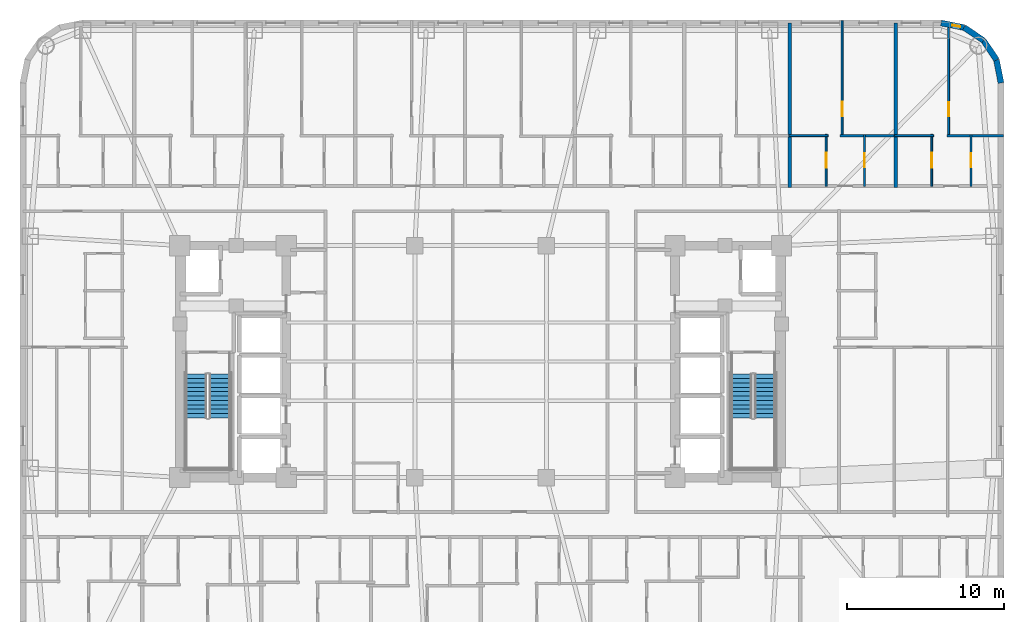
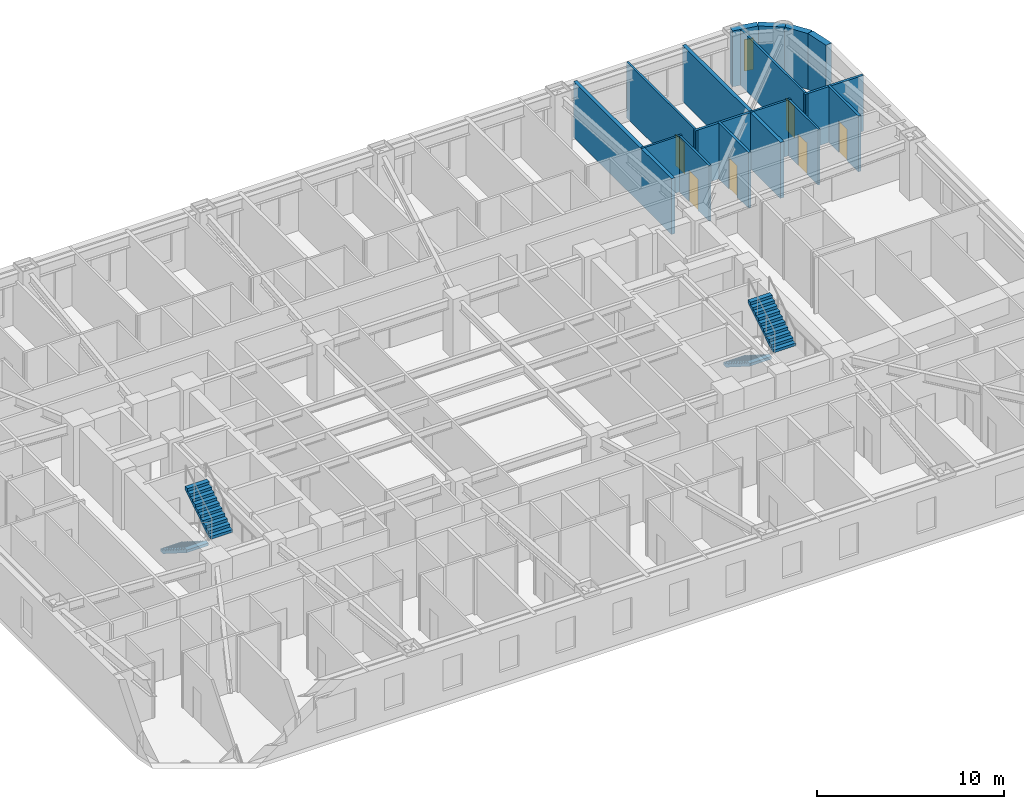
# One storey, part 11 of 13: 16 walls, 6 doors, 4 stair flights, 1 window, 7 openings, 2 elements without a shape of their own.
"""IFC4 building model written with IfcOpenShell, lengths in metres."""

from ifc_helpers import new_model, si_unit, direction, frame, frame_2d, origin, place, context, subcontext, project, spatial, polyline, rectangle, outline, extrude, material, layer, layer_set, type_object, element, fill, aggregate, save


model = new_model("IFC4")

# Units and contexts
model_context = context("Model", 3, precision=1e-05, world=origin(), true_north=direction((0.0, 1.0)))
body_context = subcontext(model_context, "Body", "Model", "MODEL_VIEW")
ifc_project = project(units=[si_unit("LENGTHUNIT", "METRE"), si_unit("AREAUNIT", "SQUARE_METRE"), si_unit("VOLUMEUNIT", "CUBIC_METRE"), si_unit("PLANEANGLEUNIT", "RADIAN"), si_unit("MASSUNIT", "GRAM", prefix="KILO")], contexts=[model_context])

# Site, building, storey
site_placement = place(None, origin())
site = spatial("IfcSite", under=ifc_project, at=site_placement, CompositionType="ELEMENT")
building_placement = place(site_placement, origin())
building = spatial("IfcBuilding", under=site, at=building_placement, Name="Voryun Gate Residences", CompositionType="ELEMENT")
storey_placement = place(building_placement, frame((0.0, 0.0, 120.89990234375)))
storey = spatial("IfcBuildingStorey", under=building, at=storey_placement, Name="L29", CompositionType="ELEMENT", Elevation=120.89990234375)

# Wall, opening, window
ifc_material_1 = material(Name="Granite masonry", Category="masonry")
ifc_layer_1 = layer(ifc_material_1, 0.3798828125, Name="W_EXT_GRANITE_380")
ifc_layer_set_1 = layer_set([ifc_layer_1], Name="Granite masonry")
wall_type_1 = type_object("IfcWallType", Name="W_EXT_GRANITE_380", PredefinedType="ELEMENTEDWALL", material=ifc_layer_set_1)
wall_1_placement = place(storey_placement, frame((29.38134765625, 21.610107421875, 0.0), z_axis=(0.0, 0.0, 1.0), x_axis=(0.980755066645, -0.195242155415, 0.0)))
wall_1 = element("IfcWall", 1, at=wall_1_placement, inside=storey, type_object=wall_type_1, Name="Exterior wall WEXT-L29-12", PredefinedType="ELEMENTEDWALL", context=body_context, shape_type="SweptSolid", body=[
    extrude(rectangle(XDim=1.50439453125, YDim=0.3798828125, at=frame_2d((0.752197265625, 0.0))), origin(), (0.0, 0.0, 1.0), 3.650146484375),
])
opening_1_placement = place(wall_1_placement, frame((0.732177734375, 0.0, 0.75)))
opening_1 = element("IfcOpeningElement", 2, at=opening_1_placement, cuts=wall_1, Name="Opening WN10", PredefinedType="OPENING", context=body_context, shape_type="SweptSolid", body=[
    extrude(rectangle(XDim=0.52001953125, YDim=2.050048828125, at=frame_2d((0.260009765625, 1.02490234375))), frame((0.0, 0.199951171875, 0.0), z_axis=(0.0, -1.0, 0.0), x_axis=(1.0, 0.0, 0.0)), (0.0, 0.0, 1.0), 0.39990234375),
])
ifc_material_2 = material(Name="Laminated low-E glass", Category="glass")
window_type = type_object("IfcWindowType", Name="WN_PAGODA_LANCET_520", PartitioningType="SINGLE_PANEL", PredefinedType="WINDOW", material=ifc_material_2)
window_placement = place(opening_1_placement, origin())
window = element("IfcWindow", 3, at=window_placement, inside=storey, type_object=window_type, Name="Window WN-L29-DWFIX-15", OverallHeight=2.050048828125, OverallWidth=0.52001953125, PartitioningType="SINGLE_PANEL", PredefinedType="WINDOW", context=body_context, shape_type="SweptSolid", body=[
    extrude(rectangle(XDim=0.52001953125, YDim=2.050048828125, at=frame_2d((0.260009765625, 1.02490234375))), frame((0.0, 0.030029296875, 0.0), z_axis=(0.0, -1.0, 0.0), x_axis=(1.0, 0.0, 0.0)), (0.0, 0.0, 1.0), 0.06005859375),
])
fill(opening_1, window)

# Walls
wall_2_placement = place(storey_placement, frame((30.856689453125, 21.31640625, 0.0), z_axis=(0.0, 0.0, 1.0), x_axis=(0.831468045563, -0.555572577804, 0.0)))
element("IfcWall", 4, at=wall_2_placement, inside=storey, type_object=wall_type_1, Name="Exterior wall WEXT-L29-13", PredefinedType="ELEMENTEDWALL", context=body_context, shape_type="SweptSolid", body=[
    extrude(rectangle(XDim=1.48486328125, YDim=0.3798828125, at=frame_2d((0.742431640625, 0.0))), origin(), (0.0, 0.0, 1.0), 3.650146484375),
])
wall_3_placement = place(storey_placement, frame((32.09130859375, 20.491455078125, 0.0), z_axis=(0.0, 0.0, 1.0), x_axis=(0.555610286119, -0.831442848281, 0.0)))
element("IfcWall", 5, at=wall_3_placement, inside=storey, type_object=wall_type_1, Name="Exterior wall WEXT-L29-14", PredefinedType="ELEMENTEDWALL", context=body_context, shape_type="SweptSolid", body=[
    extrude(rectangle(XDim=1.485107421875, YDim=0.3798828125, at=frame_2d((0.74267578125, 0.0))), origin(), (0.0, 0.0, 1.0), 3.650146484375),
])
wall_4_placement = place(storey_placement, frame((32.91650390625, 19.256591796875, 0.0), z_axis=(0.0, 0.0, 1.0), x_axis=(0.195086038585, -0.980786132421, 0.0)))
element("IfcWall", 6, at=wall_4_placement, inside=storey, type_object=wall_type_1, Name="Exterior wall WEXT-L29-15", PredefinedType="ELEMENTEDWALL", context=body_context, shape_type="SweptSolid", body=[
    extrude(rectangle(XDim=1.504150390625, YDim=0.3798828125, at=frame_2d((0.751953125, 0.0))), origin(), (0.0, 0.0, 1.0), 3.650146484375),
])
ifc_material_3 = material(Name="Concrete C40/50", Category="concrete")
ifc_layer_2 = layer(ifc_material_3, 0.219970703125, Name="W_PARTY_ACOUSTIC_220")
ifc_layer_set_2 = layer_set([ifc_layer_2], Name="Concrete C40/50")
wall_type_2 = type_object("IfcWallType", Name="W_PARTY_ACOUSTIC_220", PredefinedType="PARTITIONING", material=ifc_layer_set_2)
for number, where, z_axis, x_axis, name in (
    (7, (19.739013671875, 11.1201171875, 0.0), (0.0, 0.0, 1.0), (0.0, 1.0, 0.0), "Partition wall WP-L29-NPTY-7"),
    (8, (26.47802734375, 11.1201171875, 0.0), (0.0, 0.0, 1.0), (0.0, 1.0, 0.0), "Partition wall WP-L29-NPTY-8"),
):
    element("IfcWall", number, at=place(storey_placement, frame(where, z_axis=z_axis, x_axis=x_axis)), inside=storey, type_object=wall_type_2, Name=name, PredefinedType="PARTITIONING", context=body_context, shape_type="SweptSolid", body=[
        extrude(rectangle(XDim=10.489990234375, YDim=0.219970703125, at=frame_2d((5.2451171875, 0.0))), origin(), (0.0, 0.0, 1.0), 3.650146484375),
    ])

# Wall, opening, door
ifc_material_4 = material(Name="Gypsum acoustic partition")
ifc_layer_3 = layer(ifc_material_4, 0.125, Name="W_UNIT_PART_125")
ifc_layer_set_3 = layer_set([ifc_layer_3], Name="Gypsum acoustic partition")
wall_type_3 = type_object("IfcWallType", Name="W_UNIT_PART_125", PredefinedType="PARTITIONING", material=ifc_layer_set_3)
wall_5_placement = place(storey_placement, frame((23.068115234375, 14.340087890625, 0.0), z_axis=(0.0, 0.0, 1.0), x_axis=(0.0, 1.0, 0.0)))
wall_5 = element("IfcWall", 9, at=wall_5_placement, inside=storey, type_object=wall_type_3, Name="Partition wall WP-L29-N8-OVR", PredefinedType="PARTITIONING", context=body_context, shape_type="SweptSolid", body=[
    extrude(rectangle(XDim=7.419921875, YDim=0.125, at=frame_2d((3.7099609375, 0.0))), origin(), (0.0, 0.0, 1.0), 3.650146484375),
])
opening_2_placement = place(wall_5_placement, frame((1.330810546875, 0.0, 0.0)))
opening_2 = element("IfcOpeningElement", 10, at=opening_2_placement, cuts=wall_5, Name="Opening D-INT-2", PredefinedType="OPENING", context=body_context, shape_type="SweptSolid", body=[
    extrude(rectangle(XDim=0.89990234375, YDim=2.050048828125, at=frame_2d((0.449951171875, 1.02490234375))), frame((0.0, 0.072509765625, 0.0), z_axis=(0.0, -1.0, 0.0), x_axis=(1.0, 0.0, 0.0)), (0.0, 0.0, 1.0), 0.14501953125),
])
ifc_material_5 = material(Name="Architectural oak veneer")
door_type_1 = type_object("IfcDoorType", Name="DR_INT_BATH_900", OperationType="NOTDEFINED", PredefinedType="DOOR", material=ifc_material_5)
door_1_placement = place(opening_2_placement, origin())
door_1 = element("IfcDoor", 11, at=door_1_placement, inside=storey, type_object=door_type_1, Name="Door DR-L29-N8-DMB", OperationType="SINGLE_SWING_RIGHT", OverallHeight=2.050048828125, OverallWidth=0.89990234375, PredefinedType="DOOR", context=body_context, shape_type="SweptSolid", body=[
    extrude(rectangle(XDim=0.89990234375, YDim=2.050048828125, at=frame_2d((0.449951171875, 1.02490234375))), frame((0.0, 0.02490234375, 0.0), z_axis=(0.0, -1.0, 0.0), x_axis=(1.0, 0.0, 0.0)), (0.0, 0.0, 1.0), 0.050048828125),
])
fill(opening_2, door_1)

wall_6_placement = place(storey_placement, frame((22.049072265625, 11.179931640625, 0.0), z_axis=(0.0, 0.0, 1.0), x_axis=(0.0, 1.0, 0.0)))
wall_6 = element("IfcWall", 12, at=wall_6_placement, inside=storey, type_object=wall_type_3, Name="Partition wall WP-L29-N8-IVK", PredefinedType="PARTITIONING", context=body_context, shape_type="SweptSolid", body=[
    extrude(rectangle(XDim=3.320068359375, YDim=0.125, at=frame_2d((1.66015625, 0.0))), origin(), (0.0, 0.0, 1.0), 3.650146484375),
])
opening_3_placement = place(wall_6_placement, frame((1.18505859375, 0.0, 0.0)))
opening_3 = element("IfcOpeningElement", 13, at=opening_3_placement, cuts=wall_6, Name="Opening D-INT-1", PredefinedType="OPENING", context=body_context, shape_type="SweptSolid", body=[
    extrude(rectangle(XDim=0.949951171875, YDim=2.050048828125, at=frame_2d((0.47509765625, 1.02490234375))), frame((0.0, 0.072509765625, 0.0), z_axis=(0.0, -1.0, 0.0), x_axis=(1.0, 0.0, 0.0)), (0.0, 0.0, 1.0), 0.14501953125),
])
ifc_material_6 = material(Name="Architectural oak veneer")
door_type_2 = type_object("IfcDoorType", Name="DR_INT_ROOM_950", OperationType="NOTDEFINED", PredefinedType="DOOR", material=ifc_material_6)
door_2_placement = place(opening_3_placement, origin())
door_2 = element("IfcDoor", 14, at=door_2_placement, inside=storey, type_object=door_type_2, Name="Door DR-L29-N8-DK", OperationType="SINGLE_SWING_LEFT", OverallHeight=2.050048828125, OverallWidth=0.949951171875, PredefinedType="DOOR", context=body_context, shape_type="SweptSolid", body=[
    extrude(rectangle(XDim=0.949951171875, YDim=2.050048828125, at=frame_2d((0.47509765625, 1.02490234375))), frame((0.0, 0.02490234375, 0.0), z_axis=(0.0, -1.0, 0.0), x_axis=(1.0, 0.0, 0.0)), (0.0, 0.0, 1.0), 0.050048828125),
])
fill(opening_3, door_2)

# Wall
wall_7_placement = place(storey_placement, frame((19.6640625, 14.419921875, 0.0), z_axis=(0.0, 0.0, 1.0), x_axis=(1.0, 0.0, 0.0)))
element("IfcWall", 15, at=wall_7_placement, inside=storey, type_object=wall_type_3, Name="Partition wall WP-L29-N8-HZK", PredefinedType="PARTITIONING", context=body_context, shape_type="SweptSolid", body=[
    extrude(rectangle(XDim=2.5048828125, YDim=0.125, at=frame_2d((1.25244140625, 0.0))), origin(), (0.0, 0.0, 1.0), 3.650146484375),
])

# Wall, opening, door
wall_8_placement = place(storey_placement, frame((29.867919921875, 14.340087890625, 0.0), z_axis=(0.0, 0.0, 1.0), x_axis=(0.0, 1.0, 0.0)))
wall_8 = element("IfcWall", 16, at=wall_8_placement, inside=storey, type_object=wall_type_3, Name="Partition wall WP-L29-N9-OVR", PredefinedType="PARTITIONING", context=body_context, shape_type="SweptSolid", body=[
    extrude(rectangle(XDim=7.325927734375, YDim=0.125, at=frame_2d((3.6630859375, 0.0))), origin(), (0.0, 0.0, 1.0), 3.650146484375),
])
opening_4_placement = place(wall_8_placement, frame((1.308349609375, 0.0, 0.0)))
opening_4 = element("IfcOpeningElement", 17, at=opening_4_placement, cuts=wall_8, Name="Opening D-INT-2", PredefinedType="OPENING", context=body_context, shape_type="SweptSolid", body=[
    extrude(rectangle(XDim=0.89990234375, YDim=2.050048828125, at=frame_2d((0.449951171875, 1.02490234375))), frame((0.0, 0.072509765625, 0.0), z_axis=(0.0, -1.0, 0.0), x_axis=(1.0, 0.0, 0.0)), (0.0, 0.0, 1.0), 0.14501953125),
])
door_3_placement = place(opening_4_placement, origin())
door_3 = element("IfcDoor", 18, at=door_3_placement, inside=storey, type_object=door_type_1, Name="Door DR-L29-N9-DMB", OperationType="SINGLE_SWING_RIGHT", OverallHeight=2.050048828125, OverallWidth=0.89990234375, PredefinedType="DOOR", context=body_context, shape_type="SweptSolid", body=[
    extrude(rectangle(XDim=0.89990234375, YDim=2.050048828125, at=frame_2d((0.449951171875, 1.02490234375))), frame((0.0, 0.02490234375, 0.0), z_axis=(0.0, -1.0, 0.0), x_axis=(1.0, 0.0, 0.0)), (0.0, 0.0, 1.0), 0.050048828125),
])
fill(opening_4, door_3)

wall_9_placement = place(storey_placement, frame((28.7880859375, 11.179931640625, 0.0), z_axis=(0.0, 0.0, 1.0), x_axis=(0.0, 1.0, 0.0)))
wall_9 = element("IfcWall", 19, at=wall_9_placement, inside=storey, type_object=wall_type_3, Name="Partition wall WP-L29-N9-IVK", PredefinedType="PARTITIONING", context=body_context, shape_type="SweptSolid", body=[
    extrude(rectangle(XDim=3.320068359375, YDim=0.125, at=frame_2d((1.66015625, 0.0))), origin(), (0.0, 0.0, 1.0), 3.650146484375),
])
opening_5_placement = place(wall_9_placement, frame((1.18505859375, 0.0, 0.0)))
opening_5 = element("IfcOpeningElement", 20, at=opening_5_placement, cuts=wall_9, Name="Opening D-INT-1", PredefinedType="OPENING", context=body_context, shape_type="SweptSolid", body=[
    extrude(rectangle(XDim=0.949951171875, YDim=2.050048828125, at=frame_2d((0.47509765625, 1.02490234375))), frame((0.0, 0.072509765625, 0.0), z_axis=(0.0, -1.0, 0.0), x_axis=(1.0, 0.0, 0.0)), (0.0, 0.0, 1.0), 0.14501953125),
])
door_4_placement = place(opening_5_placement, origin())
door_4 = element("IfcDoor", 21, at=door_4_placement, inside=storey, type_object=door_type_2, Name="Door DR-L29-N9-DK", OperationType="SINGLE_SWING_LEFT", OverallHeight=2.050048828125, OverallWidth=0.949951171875, PredefinedType="DOOR", context=body_context, shape_type="SweptSolid", body=[
    extrude(rectangle(XDim=0.949951171875, YDim=2.050048828125, at=frame_2d((0.47509765625, 1.02490234375))), frame((0.0, 0.02490234375, 0.0), z_axis=(0.0, -1.0, 0.0), x_axis=(1.0, 0.0, 0.0)), (0.0, 0.0, 1.0), 0.050048828125),
])
fill(opening_5, door_4)

# Walls
wall_10_placement = place(storey_placement, frame((26.403076171875, 14.419921875, 0.0), z_axis=(0.0, 0.0, 1.0), x_axis=(1.0, 0.0, 0.0)))
element("IfcWall", 22, at=wall_10_placement, inside=storey, type_object=wall_type_3, Name="Partition wall WP-L29-N9-HZK", PredefinedType="PARTITIONING", context=body_context, shape_type="SweptSolid", body=[
    extrude(rectangle(XDim=2.5048828125, YDim=0.125, at=frame_2d((1.25244140625, 0.0))), origin(), (0.0, 0.0, 1.0), 3.650146484375),
])
ifc_material_7 = material(Name="Gypsum moisture-resistant partition")
ifc_layer_4 = layer(ifc_material_7, 0.14990234375, Name="W_WET_PLUMB_150")
ifc_layer_set_4 = layer_set([ifc_layer_4], Name="Gypsum moisture-resistant partition")
wall_type_4 = type_object("IfcWallType", Name="W_WET_PLUMB_150", PredefinedType="PLUMBINGWALL", material=ifc_layer_set_4)
wall_11_placement = place(storey_placement, frame((22.947998046875, 14.419921875, 0.0), z_axis=(0.0, 0.0, 1.0), x_axis=(1.0, 0.0, 0.0)))
element("IfcWall", 23, at=wall_11_placement, inside=storey, type_object=wall_type_4, Name="Partition wall WP-L29-N8-HZB", PredefinedType="PLUMBINGWALL", context=body_context, shape_type="SweptSolid", body=[
    extrude(rectangle(XDim=3.60498046875, YDim=0.14990234375, at=frame_2d((1.802490234375, 0.0))), origin(), (0.0, 0.0, 1.0), 3.650146484375),
])

# Wall, opening, door
wall_12_placement = place(storey_placement, frame((24.498046875, 11.179931640625, 0.0), z_axis=(0.0, 0.0, 1.0), x_axis=(0.0, 1.0, 0.0)))
wall_12 = element("IfcWall", 24, at=wall_12_placement, inside=storey, type_object=wall_type_4, Name="Partition wall WP-L29-N8-IVB", PredefinedType="PLUMBINGWALL", context=body_context, shape_type="SweptSolid", body=[
    extrude(rectangle(XDim=3.320068359375, YDim=0.14990234375, at=frame_2d((1.66015625, 0.0))), origin(), (0.0, 0.0, 1.0), 3.650146484375),
])
opening_6_placement = place(wall_12_placement, frame((1.2099609375, 0.0, 0.0)))
opening_6 = element("IfcOpeningElement", 25, at=opening_6_placement, cuts=wall_12, Name="Opening D-INT-2", PredefinedType="OPENING", context=body_context, shape_type="SweptSolid", body=[
    extrude(rectangle(XDim=0.89990234375, YDim=2.050048828125, at=frame_2d((0.449951171875, 1.02490234375))), frame((0.0, 0.0849609375, 0.0), z_axis=(0.0, -1.0, 0.0), x_axis=(1.0, 0.0, 0.0)), (0.0, 0.0, 1.0), 0.169921875),
])
door_5_placement = place(opening_6_placement, origin())
door_5 = element("IfcDoor", 26, at=door_5_placement, inside=storey, type_object=door_type_1, Name="Door DR-L29-N8-DB", OperationType="SINGLE_SWING_RIGHT", OverallHeight=2.050048828125, OverallWidth=0.89990234375, PredefinedType="DOOR", context=body_context, shape_type="SweptSolid", body=[
    extrude(rectangle(XDim=0.89990234375, YDim=2.050048828125, at=frame_2d((0.449951171875, 1.02490234375))), frame((0.0, 0.02490234375, 0.0), z_axis=(0.0, -1.0, 0.0), x_axis=(1.0, 0.0, 0.0)), (0.0, 0.0, 1.0), 0.050048828125),
])
fill(opening_6, door_5)

# Wall
wall_13_placement = place(storey_placement, frame((29.748046875, 14.419921875, 0.0), z_axis=(0.0, 0.0, 1.0), x_axis=(1.0, 0.0, 0.0)))
element("IfcWall", 27, at=wall_13_placement, inside=storey, type_object=wall_type_4, Name="Partition wall WP-L29-N9-HZB", PredefinedType="PLUMBINGWALL", context=body_context, shape_type="SweptSolid", body=[
    extrude(rectangle(XDim=3.612060546875, YDim=0.14990234375, at=frame_2d((1.80615234375, 0.0))), origin(), (0.0, 0.0, 1.0), 3.650146484375),
])

# Wall, opening, door
wall_14_placement = place(storey_placement, frame((31.298095703125, 11.179931640625, 0.0), z_axis=(0.0, 0.0, 1.0), x_axis=(0.0, 1.0, 0.0)))
wall_14 = element("IfcWall", 28, at=wall_14_placement, inside=storey, type_object=wall_type_4, Name="Partition wall WP-L29-N9-IVB", PredefinedType="PLUMBINGWALL", context=body_context, shape_type="SweptSolid", body=[
    extrude(rectangle(XDim=3.320068359375, YDim=0.14990234375, at=frame_2d((1.66015625, 0.0))), origin(), (0.0, 0.0, 1.0), 3.650146484375),
])
opening_7_placement = place(wall_14_placement, frame((1.2099609375, 0.0, 0.0)))
opening_7 = element("IfcOpeningElement", 29, at=opening_7_placement, cuts=wall_14, Name="Opening D-INT-2", PredefinedType="OPENING", context=body_context, shape_type="SweptSolid", body=[
    extrude(rectangle(XDim=0.89990234375, YDim=2.050048828125, at=frame_2d((0.449951171875, 1.02490234375))), frame((0.0, 0.0849609375, 0.0), z_axis=(0.0, -1.0, 0.0), x_axis=(1.0, 0.0, 0.0)), (0.0, 0.0, 1.0), 0.169921875),
])
door_6_placement = place(opening_7_placement, origin())
door_6 = element("IfcDoor", 30, at=door_6_placement, inside=storey, type_object=door_type_1, Name="Door DR-L29-N9-DB", OperationType="SINGLE_SWING_RIGHT", OverallHeight=2.050048828125, OverallWidth=0.89990234375, PredefinedType="DOOR", context=body_context, shape_type="SweptSolid", body=[
    extrude(rectangle(XDim=0.89990234375, YDim=2.050048828125, at=frame_2d((0.449951171875, 1.02490234375))), frame((0.0, 0.02490234375, 0.0), z_axis=(0.0, -1.0, 0.0), x_axis=(1.0, 0.0, 0.0)), (0.0, 0.0, 1.0), 0.050048828125),
])
fill(opening_7, door_6)

# Stair, stair flights
ifc_material_8 = material(Name="Concrete C40/50", Category="concrete")
stair_type = type_object("IfcStairType", Name="STR_CORE_DOGLEG_1350", PredefinedType="HALF_TURN_STAIR", material=ifc_material_8)
stair_1_placement = place(storey_placement, origin())
stair_1 = element("IfcStair", 31, at=stair_1_placement, inside=storey, type_object=stair_type, Name="L29 Special Escape Stair ST-W1", PredefinedType="HALF_TURN_STAIR")
ifc_material_9 = material(Name="Concrete C40/50", Category="concrete")
stair_flight_type = type_object("IfcStairFlightType", Name="FLT_CORE_1350", PredefinedType="STRAIGHT", material=ifc_material_9)
stair_flight_1_placement = place(storey_placement, frame((-18.14990234375, -0.800048828125, 0.0), z_axis=(0.0, 0.0, 1.0), x_axis=(0.0, -1.0, 0.0)))
stair_flight_1 = element("IfcStairFlight", 32, at=stair_flight_1_placement, type_object=stair_flight_type, Name="ST-W1 flight 1", NumberOfRisers=11, NumberOfTreads=10, PredefinedType="STRAIGHT", RiserHeight=0.177272727, TreadLength=0.28, context=body_context, shape_type="SweptSolid", body=[
    extrude(outline(polyline([(0.0, 0.0), (0.0, 0.17724609375), (0.280029296875, 0.17724609375), (0.280029296875, 0.3544921875), (0.56005859375, 0.3544921875), (0.56005859375, 0.53173828125), (0.840087890625, 0.53173828125), (0.840087890625, 0.708984375), (1.1201171875, 0.708984375), (1.1201171875, 0.886474609375), (1.39990234375, 0.886474609375), (1.39990234375, 1.063720703125), (1.679931640625, 1.063720703125), (1.679931640625, 1.240966796875), (1.9599609375, 1.240966796875), (1.9599609375, 1.418212890625), (2.239990234375, 1.418212890625), (2.239990234375, 1.595458984375), (2.52001953125, 1.595458984375), (2.52001953125, 1.772705078125), (2.800048828125, 1.772705078125), (2.800048828125, 1.949951171875), (2.800048828125, 1.59521484375), (0.2802734375, 0.0), (0.0, 0.0)])), frame((0.0, 0.675048828125, 0.0), z_axis=(0.0, -1.0, 0.0), x_axis=(1.0, 0.0, 0.0)), (0.0, 0.0, 1.0), 1.35009765625),
])
stair_flight_2_placement = place(storey_placement, frame((-16.64990234375, -3.60009765625, 1.9501953125), z_axis=(0.0, 0.0, 1.0), x_axis=(0.0, 1.0, 0.0)))
stair_flight_2 = element("IfcStairFlight", 33, at=stair_flight_2_placement, type_object=stair_flight_type, Name="ST-W1 flight 2", NumberOfRisers=11, NumberOfTreads=10, PredefinedType="STRAIGHT", RiserHeight=0.177272727, TreadLength=0.28, context=body_context, shape_type="SweptSolid", body=[
    extrude(outline(polyline([(0.0, 0.0), (0.0, 0.17724609375), (0.280029296875, 0.17724609375), (0.280029296875, 0.3544921875), (0.56005859375, 0.3544921875), (0.56005859375, 0.53173828125), (0.840087890625, 0.53173828125), (0.840087890625, 0.708984375), (1.1201171875, 0.708984375), (1.1201171875, 0.886474609375), (1.39990234375, 0.886474609375), (1.39990234375, 1.063720703125), (1.679931640625, 1.063720703125), (1.679931640625, 1.240966796875), (1.9599609375, 1.240966796875), (1.9599609375, 1.418212890625), (2.239990234375, 1.418212890625), (2.239990234375, 1.595458984375), (2.52001953125, 1.595458984375), (2.52001953125, 1.772705078125), (2.800048828125, 1.772705078125), (2.800048828125, 1.949951171875), (2.800048828125, 1.59521484375), (0.2802734375, 0.0), (0.0, 0.0)])), frame((0.0, 0.675048828125, 0.0), z_axis=(0.0, -1.0, 0.0), x_axis=(1.0, 0.0, 0.0)), (0.0, 0.0, 1.0), 1.35009765625),
])
aggregate(stair_1, [stair_flight_1, stair_flight_2])

stair_2_placement = place(storey_placement, origin())
stair_2 = element("IfcStair", 34, at=stair_2_placement, inside=storey, type_object=stair_type, Name="L29 Special Escape Stair ST-E1", PredefinedType="HALF_TURN_STAIR")
stair_flight_3_placement = place(storey_placement, frame((16.64990234375, -0.800048828125, 0.0), z_axis=(0.0, 0.0, 1.0), x_axis=(0.0, -1.0, 0.0)))
stair_flight_3 = element("IfcStairFlight", 35, at=stair_flight_3_placement, type_object=stair_flight_type, Name="ST-E1 flight 1", NumberOfRisers=11, NumberOfTreads=10, PredefinedType="STRAIGHT", RiserHeight=0.177272727, TreadLength=0.28, context=body_context, shape_type="SweptSolid", body=[
    extrude(outline(polyline([(0.0, 0.0), (0.0, 0.17724609375), (0.280029296875, 0.17724609375), (0.280029296875, 0.3544921875), (0.56005859375, 0.3544921875), (0.56005859375, 0.53173828125), (0.840087890625, 0.53173828125), (0.840087890625, 0.708984375), (1.1201171875, 0.708984375), (1.1201171875, 0.886474609375), (1.39990234375, 0.886474609375), (1.39990234375, 1.063720703125), (1.679931640625, 1.063720703125), (1.679931640625, 1.240966796875), (1.9599609375, 1.240966796875), (1.9599609375, 1.418212890625), (2.239990234375, 1.418212890625), (2.239990234375, 1.595458984375), (2.52001953125, 1.595458984375), (2.52001953125, 1.772705078125), (2.800048828125, 1.772705078125), (2.800048828125, 1.949951171875), (2.800048828125, 1.59521484375), (0.2802734375, 0.0), (0.0, 0.0)])), frame((0.0, 0.675048828125, 0.0), z_axis=(0.0, -1.0, 0.0), x_axis=(1.0, 0.0, 0.0)), (0.0, 0.0, 1.0), 1.35009765625),
])
stair_flight_4_placement = place(storey_placement, frame((18.14990234375, -3.60009765625, 1.9501953125), z_axis=(0.0, 0.0, 1.0), x_axis=(0.0, 1.0, 0.0)))
stair_flight_4 = element("IfcStairFlight", 36, at=stair_flight_4_placement, type_object=stair_flight_type, Name="ST-E1 flight 2", NumberOfRisers=11, NumberOfTreads=10, PredefinedType="STRAIGHT", RiserHeight=0.177272727, TreadLength=0.28, context=body_context, shape_type="SweptSolid", body=[
    extrude(outline(polyline([(0.0, 0.0), (0.0, 0.17724609375), (0.280029296875, 0.17724609375), (0.280029296875, 0.3544921875), (0.56005859375, 0.3544921875), (0.56005859375, 0.53173828125), (0.840087890625, 0.53173828125), (0.840087890625, 0.708984375), (1.1201171875, 0.708984375), (1.1201171875, 0.886474609375), (1.39990234375, 0.886474609375), (1.39990234375, 1.063720703125), (1.679931640625, 1.063720703125), (1.679931640625, 1.240966796875), (1.9599609375, 1.240966796875), (1.9599609375, 1.418212890625), (2.239990234375, 1.418212890625), (2.239990234375, 1.595458984375), (2.52001953125, 1.595458984375), (2.52001953125, 1.772705078125), (2.800048828125, 1.772705078125), (2.800048828125, 1.949951171875), (2.800048828125, 1.59521484375), (0.2802734375, 0.0), (0.0, 0.0)])), frame((0.0, 0.675048828125, 0.0), z_axis=(0.0, -1.0, 0.0), x_axis=(1.0, 0.0, 0.0)), (0.0, 0.0, 1.0), 1.35009765625),
])
aggregate(stair_2, [stair_flight_3, stair_flight_4])

save(model, "model.ifc")
